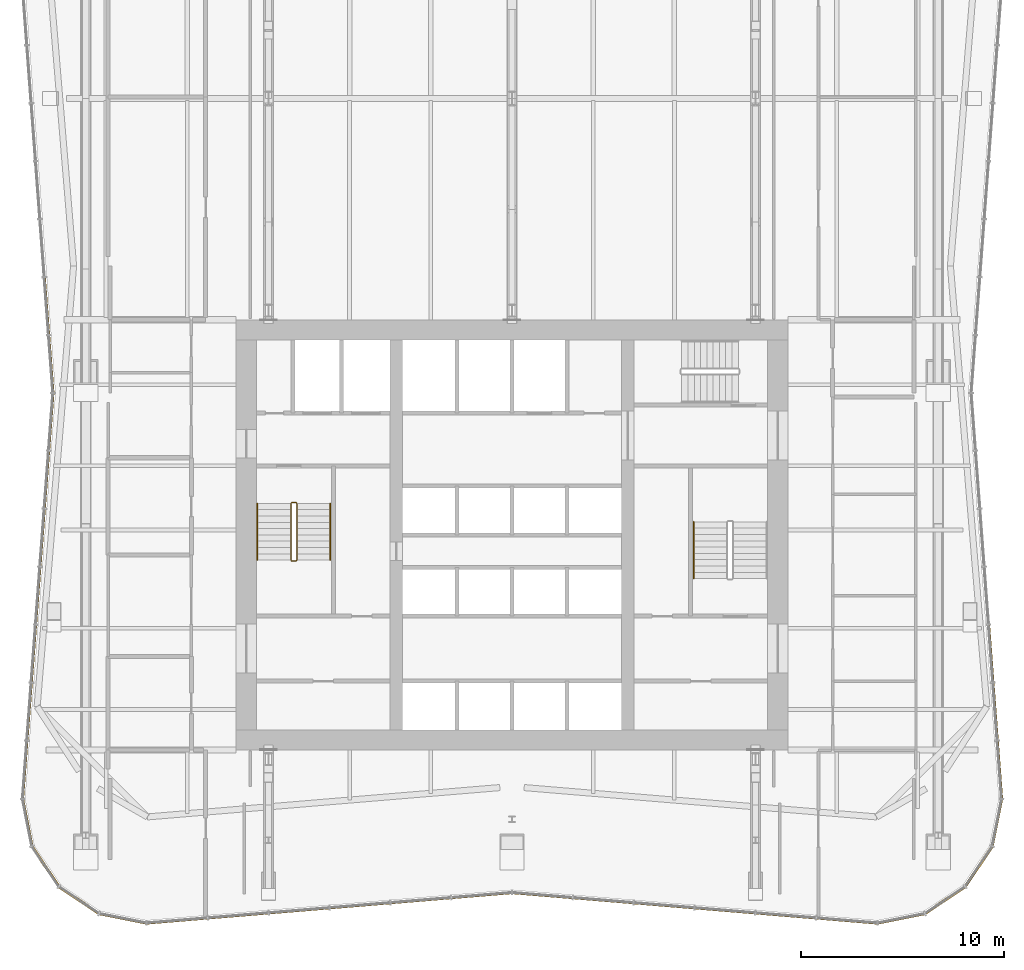
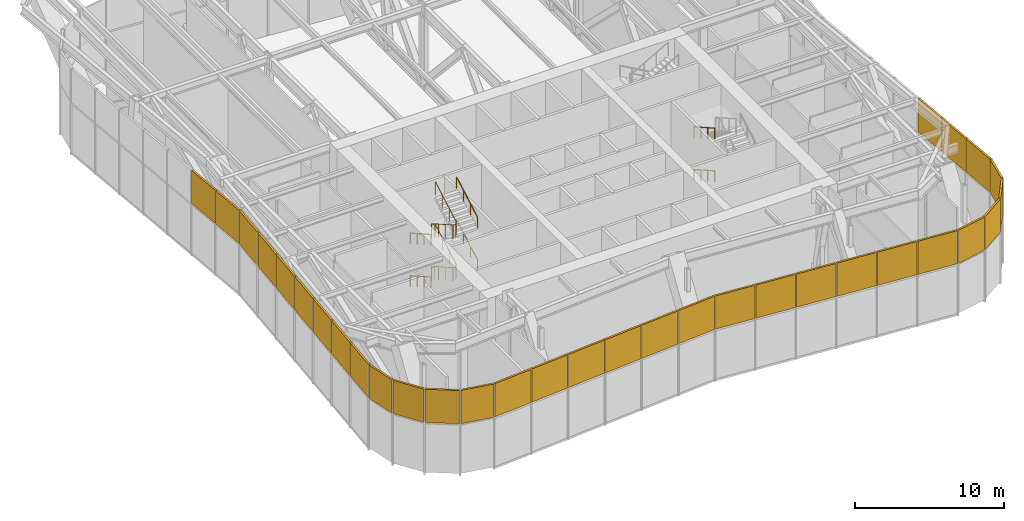
# One storey, part 14 of 16: 32 shading devices, 7 railings, 5 elements without a shape of their own.
"""IFC4 building model written with IfcOpenShell, lengths in metres."""

from ifc_helpers import new_model, si_unit, direction, frame, origin, origin_2d, place, context, subcontext, project, spatial, rectangle, circle, extrude, material, layer, layer_set, type_object, element, aggregate, save


model = new_model("IFC4")

# Units and contexts
model_context = context("Model", 3, precision=1e-05, world=origin(), true_north=direction((0.0, 1.0)))
body_context = subcontext(model_context, "Body", "Model", "MODEL_VIEW")
ifc_project = project(units=[si_unit("LENGTHUNIT", "METRE"), si_unit("AREAUNIT", "SQUARE_METRE"), si_unit("VOLUMEUNIT", "CUBIC_METRE"), si_unit("PLANEANGLEUNIT", "RADIAN"), si_unit("MASSUNIT", "GRAM", prefix="KILO")], contexts=[model_context])

# Site, building, storey
site_placement = place(None, origin())
site = spatial("IfcSite", under=ifc_project, at=site_placement, CompositionType="ELEMENT")
building_placement = place(site_placement, origin())
building = spatial("IfcBuilding", under=site, at=building_placement, Name="Verdant Reach Tower", CompositionType="ELEMENT")
storey_placement = place(building_placement, frame((0.0, 0.0, 170.0)))
storey = spatial("IfcBuildingStorey", under=building, at=storey_placement, Name="L39 Plant", CompositionType="ELEMENT", Elevation=170.0)

# Railings
ifc_material_1 = material(Name="Stainless steel", Category="steel")
railing_type_1 = type_object("IfcRailingType", Name="CO-GUARD", PredefinedType="GUARDRAIL", material=ifc_material_1)
railing_1_placement = place(storey_placement, frame((-10.64990234375, 29.60009765625, 0.0)))
element("IfcRailing", 1, at=railing_1_placement, inside=storey, type_object=railing_type_1, Name="L39 Plant ST-1 stair guard 1", PredefinedType="GUARDRAIL", context=body_context, shape_type="SweptSolid", body=[
    extrude(circle(Radius=0.02392578125, at=origin_2d()), frame((0.0, 0.0, 1.076171875), z_axis=(-1.0, 0.0, 0.0), x_axis=(0.0, -1.0, 0.0)), (0.0, 0.0, 1.0), 0.2001953125),
    extrude(circle(Radius=0.02392578125, at=origin_2d()), frame((-0.2001953125, 0.0, 1.076171875), z_axis=(-0.263862480399, -0.265155923931, 0.927399011991), x_axis=(0.708833529934, -0.705375805398, 0.0)), (0.0, 0.0, 1.0), 0.188720703125),
    extrude(circle(Radius=0.02392578125, at=origin_2d()), frame((-0.25, -0.050048828125, 1.2509765625), z_axis=(0.0, -0.870833779661, 0.491577591232), x_axis=(1.0, 0.0, 0.0)), (0.0, 0.0, 1.0), 3.203857421875),
    extrude(circle(Radius=0.02392578125, at=origin_2d()), frame((-0.25, -2.840087890625, 2.826171875), z_axis=(0.705375805398, -0.708833529934, 0.0), x_axis=(0.708833529934, 0.705375805398, 0.0)), (0.0, 0.0, 1.0), 0.070556640625),
    extrude(circle(Radius=0.02392578125, at=origin_2d()), frame((-0.2001953125, -2.89013671875, 2.826171875), z_axis=(1.0, 0.0, 0.0), x_axis=(0.0, 1.0, 0.0)), (0.0, 0.0, 1.0), 0.2001953125),
    extrude(circle(Radius=0.02392578125, at=origin_2d()), frame((0.0, -2.89013671875, 2.826171875), z_axis=(0.263862480399, 0.265155923931, 0.927399011991), x_axis=(-0.708833529934, 0.705375805398, 0.0)), (0.0, 0.0, 1.0), 0.188720703125),
    extrude(circle(Radius=0.02392578125, at=origin_2d()), frame((0.0498046875, -2.840087890625, 3.0009765625), z_axis=(0.0, 0.870833779661, 0.491577591232), x_axis=(-1.0, 0.0, 0.0)), (0.0, 0.0, 1.0), 3.203857421875),
    extrude(circle(Radius=0.02392578125, at=origin_2d()), frame((0.0498046875, -0.050048828125, 4.576171875), z_axis=(-0.705375805398, 0.708833529934, 0.0), x_axis=(-0.708833529934, -0.705375805398, 0.0)), (0.0, 0.0, 1.0), 0.070556640625),
    extrude(circle(Radius=0.02392578125, at=origin_2d()), frame((0.0, 0.0, 4.576171875), z_axis=(-1.0, 0.0, 0.0), x_axis=(0.0, -1.0, 0.0)), (0.0, 0.0, 1.0), 0.2001953125),
    extrude(circle(Radius=0.02392578125, at=origin_2d()), frame((-0.2001953125, 0.0, 4.576171875), z_axis=(-0.263862480399, -0.265155923931, 0.927399011991), x_axis=(0.708833529934, -0.705375805398, 0.0)), (0.0, 0.0, 1.0), 0.188720703125),
    extrude(circle(Radius=0.02392578125, at=origin_2d()), frame((-0.25, -0.050048828125, 4.7509765625), z_axis=(0.0, -0.870833779661, 0.491577591232), x_axis=(1.0, 0.0, 0.0)), (0.0, 0.0, 1.0), 3.203857421875),
    extrude(circle(Radius=0.02392578125, at=origin_2d()), frame((-0.25, -2.840087890625, 6.326171875), z_axis=(0.705375805398, -0.708833529934, 0.0), x_axis=(0.708833529934, 0.705375805398, 0.0)), (0.0, 0.0, 1.0), 0.070556640625),
    extrude(circle(Radius=0.02392578125, at=origin_2d()), frame((-0.2001953125, -2.89013671875, 6.326171875), z_axis=(1.0, 0.0, 0.0), x_axis=(0.0, 1.0, 0.0)), (0.0, 0.0, 1.0), 0.2001953125),
    extrude(circle(Radius=0.02392578125, at=origin_2d()), frame((0.0, -2.89013671875, 6.326171875), z_axis=(0.263862480399, 0.265155923931, 0.927399011991), x_axis=(-0.708833529934, 0.705375805398, 0.0)), (0.0, 0.0, 1.0), 0.188720703125),
    extrude(circle(Radius=0.02392578125, at=origin_2d()), frame((0.0498046875, -2.840087890625, 6.5009765625), z_axis=(0.0, 0.870833779661, 0.491577591232), x_axis=(-1.0, 0.0, 0.0)), (0.0, 0.0, 1.0), 3.203857421875),
    extrude(circle(Radius=0.02099609375, at=origin_2d()), origin(), (0.0, 0.0, 1.0), 1.052001953125),
    extrude(circle(Radius=0.02099609375, at=origin_2d()), frame((-0.2001953125, 0.0, 0.0)), (0.0, 0.0, 1.0), 1.052001953125),
    extrude(circle(Radius=0.02099609375, at=origin_2d()), frame((-0.25, -0.050048828125, 0.175048828125)), (0.0, 0.0, 1.0), 1.052001953125),
    extrude(circle(Radius=0.02099609375, at=origin_2d()), frame((-0.25, -0.97998046875, 0.699951171875)), (0.0, 0.0, 1.0), 1.052001953125),
    extrude(circle(Radius=0.02099609375, at=origin_2d()), frame((-0.25, -1.91015625, 1.22509765625)), (0.0, 0.0, 1.0), 1.052001953125),
    extrude(circle(Radius=0.02099609375, at=origin_2d()), frame((-0.25, -2.840087890625, 1.75)), (0.0, 0.0, 1.0), 1.052001953125),
    extrude(circle(Radius=0.02099609375, at=origin_2d()), frame((-0.2001953125, -2.89013671875, 1.75)), (0.0, 0.0, 1.0), 1.052001953125),
    extrude(circle(Radius=0.02099609375, at=origin_2d()), frame((0.0, -2.89013671875, 1.75)), (0.0, 0.0, 1.0), 1.052001953125),
    extrude(circle(Radius=0.02099609375, at=origin_2d()), frame((0.0498046875, -2.840087890625, 1.925048828125)), (0.0, 0.0, 1.0), 1.052001953125),
    extrude(circle(Radius=0.02099609375, at=origin_2d()), frame((0.0498046875, -1.91015625, 2.449951171875)), (0.0, 0.0, 1.0), 1.052001953125),
    extrude(circle(Radius=0.02099609375, at=origin_2d()), frame((0.0498046875, -0.97998046875, 2.97509765625)), (0.0, 0.0, 1.0), 1.052001953125),
    extrude(circle(Radius=0.02099609375, at=origin_2d()), frame((0.0498046875, -0.050048828125, 3.5)), (0.0, 0.0, 1.0), 1.052001953125),
    extrude(circle(Radius=0.02099609375, at=origin_2d()), frame((0.0, 0.0, 3.5)), (0.0, 0.0, 1.0), 1.052001953125),
    extrude(circle(Radius=0.02099609375, at=origin_2d()), frame((-0.2001953125, 0.0, 3.5)), (0.0, 0.0, 1.0), 1.052001953125),
    extrude(circle(Radius=0.02099609375, at=origin_2d()), frame((-0.25, -0.050048828125, 3.675048828125)), (0.0, 0.0, 1.0), 1.052001953125),
    extrude(circle(Radius=0.02099609375, at=origin_2d()), frame((-0.25, -0.97998046875, 4.199951171875)), (0.0, 0.0, 1.0), 1.052001953125),
    extrude(circle(Radius=0.02099609375, at=origin_2d()), frame((-0.25, -1.91015625, 4.72509765625)), (0.0, 0.0, 1.0), 1.052001953125),
    extrude(circle(Radius=0.02099609375, at=origin_2d()), frame((-0.25, -2.840087890625, 5.25)), (0.0, 0.0, 1.0), 1.052001953125),
    extrude(circle(Radius=0.02099609375, at=origin_2d()), frame((-0.2001953125, -2.89013671875, 5.25)), (0.0, 0.0, 1.0), 1.052001953125),
    extrude(circle(Radius=0.02099609375, at=origin_2d()), frame((0.0, -2.89013671875, 5.25)), (0.0, 0.0, 1.0), 1.052001953125),
    extrude(circle(Radius=0.02099609375, at=origin_2d()), frame((0.0498046875, -2.840087890625, 5.425048828125)), (0.0, 0.0, 1.0), 1.052001953125),
    extrude(circle(Radius=0.02099609375, at=origin_2d()), frame((0.0498046875, -1.91015625, 5.949951171875)), (0.0, 0.0, 1.0), 1.052001953125),
    extrude(circle(Radius=0.02099609375, at=origin_2d()), frame((0.0498046875, -0.97998046875, 6.47509765625)), (0.0, 0.0, 1.0), 1.052001953125),
    extrude(circle(Radius=0.02099609375, at=origin_2d()), frame((0.0498046875, -0.050048828125, 7.0)), (0.0, 0.0, 1.0), 1.052001953125),
])
railing_type_2 = type_object("IfcRailingType", Name="CO-HANDRAIL", PredefinedType="HANDRAIL", material=ifc_material_1)
railing_2_placement = place(storey_placement, frame((-12.550048828125, 29.550048828125, 0.175048828125)))
element("IfcRailing", 2, at=railing_2_placement, inside=storey, type_object=railing_type_2, Name="L39 Plant ST-1 stair handrail 1", PredefinedType="HANDRAIL", context=body_context, shape_type="SweptSolid", body=[
    extrude(circle(Radius=0.02392578125, at=origin_2d()), frame((0.0, 0.0, 0.8759765625), z_axis=(0.0, -0.870833779661, 0.491577591232), x_axis=(1.0, 0.0, 0.0)), (0.0, 0.0, 1.0), 3.203857421875),
    extrude(circle(Radius=0.02099609375, at=origin_2d()), origin(), (0.0, 0.0, 1.0), 0.851806640625),
    extrude(circle(Radius=0.02099609375, at=origin_2d()), frame((0.0, -0.929931640625, 0.52490234375)), (0.0, 0.0, 1.0), 0.851806640625),
    extrude(circle(Radius=0.02099609375, at=origin_2d()), frame((0.0, -1.860107421875, 1.050048828125)), (0.0, 0.0, 1.0), 0.851806640625),
    extrude(circle(Radius=0.02099609375, at=origin_2d()), frame((0.0, -2.7900390625, 1.574951171875)), (0.0, 0.0, 1.0), 0.851806640625),
])
railing_3_placement = place(storey_placement, frame((-8.949951171875, 26.760009765625, 1.925048828125)))
element("IfcRailing", 3, at=railing_3_placement, inside=storey, type_object=railing_type_2, Name="L39 Plant ST-1 stair handrail 2", PredefinedType="HANDRAIL", context=body_context, shape_type="SweptSolid", body=[
    extrude(circle(Radius=0.02392578125, at=origin_2d()), frame((0.0, 0.0, 0.8759765625), z_axis=(0.0, 0.870833779661, 0.491577591232), x_axis=(-1.0, 0.0, 0.0)), (0.0, 0.0, 1.0), 3.203857421875),
    extrude(circle(Radius=0.02099609375, at=origin_2d()), origin(), (0.0, 0.0, 1.0), 0.851806640625),
    extrude(circle(Radius=0.02099609375, at=origin_2d()), frame((0.0, 0.929931640625, 0.52490234375)), (0.0, 0.0, 1.0), 0.851806640625),
    extrude(circle(Radius=0.02099609375, at=origin_2d()), frame((0.0, 1.860107421875, 1.050048828125)), (0.0, 0.0, 1.0), 0.851806640625),
    extrude(circle(Radius=0.02099609375, at=origin_2d()), frame((0.0, 2.7900390625, 1.574951171875)), (0.0, 0.0, 1.0), 0.851806640625),
])
railing_4_placement = place(storey_placement, frame((-12.550048828125, 29.550048828125, 3.675048828125)))
element("IfcRailing", 4, at=railing_4_placement, inside=storey, type_object=railing_type_2, Name="L39 Plant ST-1 stair handrail 3", PredefinedType="HANDRAIL", context=body_context, shape_type="SweptSolid", body=[
    extrude(circle(Radius=0.02392578125, at=origin_2d()), frame((0.0, 0.0, 0.8759765625), z_axis=(0.0, -0.870833779661, 0.491577591232), x_axis=(1.0, 0.0, 0.0)), (0.0, 0.0, 1.0), 3.203857421875),
    extrude(circle(Radius=0.02099609375, at=origin_2d()), origin(), (0.0, 0.0, 1.0), 0.851806640625),
    extrude(circle(Radius=0.02099609375, at=origin_2d()), frame((0.0, -0.929931640625, 0.52490234375)), (0.0, 0.0, 1.0), 0.851806640625),
    extrude(circle(Radius=0.02099609375, at=origin_2d()), frame((0.0, -1.860107421875, 1.050048828125)), (0.0, 0.0, 1.0), 0.851806640625),
    extrude(circle(Radius=0.02099609375, at=origin_2d()), frame((0.0, -2.7900390625, 1.574951171875)), (0.0, 0.0, 1.0), 0.851806640625),
])
railing_5_placement = place(storey_placement, frame((-8.949951171875, 26.760009765625, 5.425048828125)))
element("IfcRailing", 5, at=railing_5_placement, inside=storey, type_object=railing_type_2, Name="L39 Plant ST-1 stair handrail 4", PredefinedType="HANDRAIL", context=body_context, shape_type="SweptSolid", body=[
    extrude(circle(Radius=0.02392578125, at=origin_2d()), frame((0.0, 0.0, 0.8759765625), z_axis=(0.0, 0.870833779661, 0.491577591232), x_axis=(-1.0, 0.0, 0.0)), (0.0, 0.0, 1.0), 3.203857421875),
    extrude(circle(Radius=0.02099609375, at=origin_2d()), origin(), (0.0, 0.0, 1.0), 0.851806640625),
    extrude(circle(Radius=0.02099609375, at=origin_2d()), frame((0.0, 0.929931640625, 0.52490234375)), (0.0, 0.0, 1.0), 0.851806640625),
    extrude(circle(Radius=0.02099609375, at=origin_2d()), frame((0.0, 1.860107421875, 1.050048828125)), (0.0, 0.0, 1.0), 0.851806640625),
    extrude(circle(Radius=0.02099609375, at=origin_2d()), frame((0.0, 2.7900390625, 1.574951171875)), (0.0, 0.0, 1.0), 0.851806640625),
])
for number, where, name in (
    (6, (8.949951171875, 28.639892578125, 1.925048828125), "L39 Plant ST-2 stair handrail 2"),
    (7, (8.949951171875, 28.639892578125, 5.425048828125), "L39 Plant ST-2 stair handrail 4"),
):
    element("IfcRailing", number, at=place(storey_placement, frame(where)), inside=storey, type_object=railing_type_2, Name=name, PredefinedType="HANDRAIL", context=body_context, shape_type="SweptSolid", body=[
        extrude(circle(Radius=0.02392578125, at=origin_2d()), frame((0.0, 0.0, 0.8759765625), z_axis=(0.0, -0.870815363784, 0.491610213684), x_axis=(1.0, 0.0, 0.0)), (0.0, 0.0, 1.0), 3.20361328125),
        extrude(circle(Radius=0.02099609375, at=origin_2d()), origin(), (0.0, 0.0, 1.0), 0.851806640625),
        extrude(circle(Radius=0.02099609375, at=origin_2d()), frame((0.0, -0.929931640625, 0.52490234375)), (0.0, 0.0, 1.0), 0.851806640625),
        extrude(circle(Radius=0.02099609375, at=origin_2d()), frame((0.0, -1.85986328125, 1.050048828125)), (0.0, 0.0, 1.0), 0.851806640625),
        extrude(circle(Radius=0.02099609375, at=origin_2d()), frame((0.0, -2.789794921875, 1.574951171875)), (0.0, 0.0, 1.0), 0.851806640625),
    ])

# Curtain wall, shading devices
ifc_material_2 = material(Name="Anodised aluminium", Category="aluminium")
curtain_wall_type = type_object("IfcCurtainWallType", Name="EN-CW SYSTEM PLANT", PredefinedType="NOTDEFINED", material=ifc_material_2)
curtain_wall_1_placement = place(storey_placement, origin())
curtain_wall_1 = element("IfcCurtainWall", 8, at=curtain_wall_1_placement, inside=storey, type_object=curtain_wall_type, Name="Curtain wall south-east corner, L39", PredefinedType="NOTDEFINED")
ifc_material_3 = material(Name="Bronze anodised aluminium louvre", Category="aluminium")
ifc_layer = layer(ifc_material_3, 0.14990234375)
ifc_layer_set = layer_set([ifc_layer], Name="EN-LOUVRE")
shading_device_type = type_object("IfcShadingDeviceType", Name="EN-LOUVRE", PredefinedType="USERDEFINED", material=ifc_layer_set)
shading_device_1_placement = place(storey_placement, frame((19.174072265625, 9.114013671875, 3.925048828125), z_axis=(0.0, 0.0, 1.0), x_axis=(0.980694678629, 0.195545256419, 0.0)))
shading_device_1 = element("IfcShadingDevice", 9, at=shading_device_1_placement, type_object=shading_device_type, Name="Louvre bank south-east corner 1, L39", ObjectType="LOUVRE", PredefinedType="USERDEFINED", context=body_context, shape_type="SweptSolid", body=[
    extrude(rectangle(XDim=2.304931640625, YDim=0.14990234375, at=origin_2d()), origin(), (0.0, 0.0, 1.0), 2.72509765625),
])
shading_device_2_placement = place(storey_placement, frame((21.334228515625, 10.010009765625, 3.925048828125), z_axis=(0.0, 0.0, 1.0), x_axis=(0.83145208321, 0.555596466265, 0.0)))
shading_device_2 = element("IfcShadingDevice", 10, at=shading_device_2_placement, type_object=shading_device_type, Name="Louvre bank south-east corner 2, L39", ObjectType="LOUVRE", PredefinedType="USERDEFINED", context=body_context, shape_type="SweptSolid", body=[
    extrude(rectangle(XDim=2.3115234375, YDim=0.14990234375, at=origin_2d()), origin(), (0.0, 0.0, 1.0), 2.72509765625),
])
shading_device_3_placement = place(storey_placement, frame((22.989990234375, 11.665771484375, 3.925048828125), z_axis=(0.0, 0.0, 1.0), x_axis=(0.555596466265, 0.83145208321, 0.0)))
shading_device_3 = element("IfcShadingDevice", 11, at=shading_device_3_placement, type_object=shading_device_type, Name="Louvre bank south-east corner 3, L39", ObjectType="LOUVRE", PredefinedType="USERDEFINED", context=body_context, shape_type="SweptSolid", body=[
    extrude(rectangle(XDim=2.3115234375, YDim=0.14990234375, at=origin_2d()), origin(), (0.0, 0.0, 1.0), 2.72509765625),
])
shading_device_4_placement = place(storey_placement, frame((23.885986328125, 13.82568359375, 3.925048828125), z_axis=(0.0, 0.0, 1.0), x_axis=(0.195573211056, 0.980689104211, 0.0)))
shading_device_4 = element("IfcShadingDevice", 12, at=shading_device_4_placement, type_object=shading_device_type, Name="Louvre bank south-east corner 4, L39", ObjectType="LOUVRE", PredefinedType="USERDEFINED", context=body_context, shape_type="SweptSolid", body=[
    extrude(rectangle(XDim=2.304443359375, YDim=0.14990234375, at=origin_2d()), origin(), (0.0, 0.0, 1.0), 2.72509765625),
])
aggregate(curtain_wall_1, [shading_device_1, shading_device_2, shading_device_3, shading_device_4])

curtain_wall_2_placement = place(storey_placement, origin())
curtain_wall_2 = element("IfcCurtainWall", 13, at=curtain_wall_2_placement, inside=storey, type_object=curtain_wall_type, Name="Curtain wall east, L39", PredefinedType="NOTDEFINED")
shading_device_5_placement = place(storey_placement, frame((24.011474609375, 16.429443359375, 3.925048828125), z_axis=(0.0, 0.0, 1.0), x_axis=(-0.074411874128, 0.997227593375, 0.0)))
shading_device_5 = element("IfcShadingDevice", 14, at=shading_device_5_placement, type_object=shading_device_type, Name="Louvre bank east face part 1 1, L39", ObjectType="LOUVRE", PredefinedType="USERDEFINED", context=body_context, shape_type="SweptSolid", body=[
    extrude(rectangle(XDim=2.80517578125, YDim=0.14990234375, at=origin_2d()), origin(), (0.0, 0.0, 1.0), 2.72509765625),
])
shading_device_6_placement = place(storey_placement, frame((23.797119140625, 19.294677734375, 3.925048828125), z_axis=(0.0, 0.0, 1.0), x_axis=(-0.074789948245, 0.997199309888, 0.0)))
shading_device_6 = element("IfcShadingDevice", 15, at=shading_device_6_placement, type_object=shading_device_type, Name="Louvre bank east face part 1 2, L39", ObjectType="LOUVRE", PredefinedType="USERDEFINED", context=body_context, shape_type="SweptSolid", body=[
    extrude(rectangle(XDim=2.7890625, YDim=0.14990234375, at=origin_2d()), origin(), (0.0, 0.0, 1.0), 2.72509765625),
])
shading_device_7_placement = place(storey_placement, frame((23.5830078125, 22.15185546875, 3.925048828125), z_axis=(0.0, 0.0, 1.0), x_axis=(-0.074789948245, 0.997199309888, 0.0)))
shading_device_7 = element("IfcShadingDevice", 16, at=shading_device_7_placement, type_object=shading_device_type, Name="Louvre bank east face part 1 3, L39", ObjectType="LOUVRE", PredefinedType="USERDEFINED", context=body_context, shape_type="SweptSolid", body=[
    extrude(rectangle(XDim=2.7890625, YDim=0.14990234375, at=origin_2d()), origin(), (0.0, 0.0, 1.0), 2.72509765625),
])
aggregate(curtain_wall_2, [shading_device_5, shading_device_6, shading_device_7])

curtain_wall_3_placement = place(storey_placement, origin())
curtain_wall_3 = element("IfcCurtainWall", 17, at=curtain_wall_3_placement, inside=storey, type_object=curtain_wall_type, Name="Curtain wall west, L39", PredefinedType="NOTDEFINED")
shading_device_8_placement = place(storey_placement, frame((-22.940185546875, 39.27685546875, 3.925048828125), z_axis=(0.0, 0.0, 1.0), x_axis=(0.074789948245, -0.997199309888, 0.0)))
shading_device_8 = element("IfcShadingDevice", 18, at=shading_device_8_placement, type_object=shading_device_type, Name="Louvre bank west face part 1 6, L39", ObjectType="LOUVRE", PredefinedType="USERDEFINED", context=body_context, shape_type="SweptSolid", body=[
    extrude(rectangle(XDim=2.7890625, YDim=0.14990234375, at=origin_2d()), origin(), (0.0, 0.0, 1.0), 2.72509765625),
])
shading_device_9_placement = place(storey_placement, frame((-22.72607421875, 36.424072265625, 3.925048828125), z_axis=(0.0, 0.0, 1.0), x_axis=(0.074906305432, -0.997190576272, 0.0)))
shading_device_9 = element("IfcShadingDevice", 19, at=shading_device_9_placement, type_object=shading_device_type, Name="Louvre bank west face part 1 7, L39", ObjectType="LOUVRE", PredefinedType="USERDEFINED", context=body_context, shape_type="SweptSolid", body=[
    extrude(rectangle(XDim=2.7802734375, YDim=0.14990234375, at=origin_2d()), origin(), (0.0, 0.0, 1.0), 2.72509765625),
])
shading_device_10_placement = place(storey_placement, frame((-22.72607421875, 33.575927734375, 3.925048828125), z_axis=(0.0, 0.0, 1.0), x_axis=(-0.074906305432, -0.997190576272, 0.0)))
shading_device_10 = element("IfcShadingDevice", 20, at=shading_device_10_placement, type_object=shading_device_type, Name="Louvre bank west face part 2 1, L39", ObjectType="LOUVRE", PredefinedType="USERDEFINED", context=body_context, shape_type="SweptSolid", body=[
    extrude(rectangle(XDim=2.7802734375, YDim=0.14990234375, at=origin_2d()), origin(), (0.0, 0.0, 1.0), 2.72509765625),
])
shading_device_11_placement = place(storey_placement, frame((-22.940185546875, 30.72314453125, 3.925048828125), z_axis=(0.0, 0.0, 1.0), x_axis=(-0.074789948245, -0.997199309888, 0.0)))
shading_device_11 = element("IfcShadingDevice", 21, at=shading_device_11_placement, type_object=shading_device_type, Name="Louvre bank west face part 2 2, L39", ObjectType="LOUVRE", PredefinedType="USERDEFINED", context=body_context, shape_type="SweptSolid", body=[
    extrude(rectangle(XDim=2.7890625, YDim=0.14990234375, at=origin_2d()), origin(), (0.0, 0.0, 1.0), 2.72509765625),
])
shading_device_12_placement = place(storey_placement, frame((-23.154296875, 27.865966796875, 3.925048828125), z_axis=(0.0, 0.0, 1.0), x_axis=(-0.074789948245, -0.997199309888, 0.0)))
shading_device_12 = element("IfcShadingDevice", 22, at=shading_device_12_placement, type_object=shading_device_type, Name="Louvre bank west face part 2 3, L39", ObjectType="LOUVRE", PredefinedType="USERDEFINED", context=body_context, shape_type="SweptSolid", body=[
    extrude(rectangle(XDim=2.7890625, YDim=0.14990234375, at=origin_2d()), origin(), (0.0, 0.0, 1.0), 2.72509765625),
])
shading_device_13_placement = place(storey_placement, frame((-23.36865234375, 25.0087890625, 3.925048828125), z_axis=(0.0, 0.0, 1.0), x_axis=(-0.074789948245, -0.997199309888, 0.0)))
shading_device_13 = element("IfcShadingDevice", 23, at=shading_device_13_placement, type_object=shading_device_type, Name="Louvre bank west face part 2 4, L39", ObjectType="LOUVRE", PredefinedType="USERDEFINED", context=body_context, shape_type="SweptSolid", body=[
    extrude(rectangle(XDim=2.7890625, YDim=0.14990234375, at=origin_2d()), origin(), (0.0, 0.0, 1.0), 2.72509765625),
])
shading_device_14_placement = place(storey_placement, frame((-23.5830078125, 22.15185546875, 3.925048828125), z_axis=(0.0, 0.0, 1.0), x_axis=(-0.074789948245, -0.997199309888, 0.0)))
shading_device_14 = element("IfcShadingDevice", 24, at=shading_device_14_placement, type_object=shading_device_type, Name="Louvre bank west face part 2 5, L39", ObjectType="LOUVRE", PredefinedType="USERDEFINED", context=body_context, shape_type="SweptSolid", body=[
    extrude(rectangle(XDim=2.7890625, YDim=0.14990234375, at=origin_2d()), origin(), (0.0, 0.0, 1.0), 2.72509765625),
])
shading_device_15_placement = place(storey_placement, frame((-23.797119140625, 19.294677734375, 3.925048828125), z_axis=(0.0, 0.0, 1.0), x_axis=(-0.074789948245, -0.997199309888, 0.0)))
shading_device_15 = element("IfcShadingDevice", 25, at=shading_device_15_placement, type_object=shading_device_type, Name="Louvre bank west face part 2 6, L39", ObjectType="LOUVRE", PredefinedType="USERDEFINED", context=body_context, shape_type="SweptSolid", body=[
    extrude(rectangle(XDim=2.7890625, YDim=0.14990234375, at=origin_2d()), origin(), (0.0, 0.0, 1.0), 2.72509765625),
])
shading_device_16_placement = place(storey_placement, frame((-24.011474609375, 16.429443359375, 3.925048828125), z_axis=(0.0, 0.0, 1.0), x_axis=(-0.074411874128, -0.997227593375, 0.0)))
shading_device_16 = element("IfcShadingDevice", 26, at=shading_device_16_placement, type_object=shading_device_type, Name="Louvre bank west face part 2 7, L39", ObjectType="LOUVRE", PredefinedType="USERDEFINED", context=body_context, shape_type="SweptSolid", body=[
    extrude(rectangle(XDim=2.80517578125, YDim=0.14990234375, at=origin_2d()), origin(), (0.0, 0.0, 1.0), 2.72509765625),
])
aggregate(curtain_wall_3, [shading_device_8, shading_device_9, shading_device_10, shading_device_11, shading_device_12, shading_device_13, shading_device_14, shading_device_15, shading_device_16])

curtain_wall_4_placement = place(storey_placement, origin())
curtain_wall_4 = element("IfcCurtainWall", 27, at=curtain_wall_4_placement, inside=storey, type_object=curtain_wall_type, Name="Curtain wall south-west corner, L39", PredefinedType="NOTDEFINED")
shading_device_17_placement = place(storey_placement, frame((-23.885986328125, 13.82568359375, 3.925048828125), z_axis=(0.0, 0.0, 1.0), x_axis=(0.195573211056, -0.980689104211, 0.0)))
shading_device_17 = element("IfcShadingDevice", 28, at=shading_device_17_placement, type_object=shading_device_type, Name="Louvre bank south-west corner 1, L39", ObjectType="LOUVRE", PredefinedType="USERDEFINED", context=body_context, shape_type="SweptSolid", body=[
    extrude(rectangle(XDim=2.304443359375, YDim=0.14990234375, at=origin_2d()), origin(), (0.0, 0.0, 1.0), 2.72509765625),
])
shading_device_18_placement = place(storey_placement, frame((-22.989990234375, 11.665771484375, 3.925048828125), z_axis=(0.0, 0.0, 1.0), x_axis=(0.555596466265, -0.83145208321, 0.0)))
shading_device_18 = element("IfcShadingDevice", 29, at=shading_device_18_placement, type_object=shading_device_type, Name="Louvre bank south-west corner 2, L39", ObjectType="LOUVRE", PredefinedType="USERDEFINED", context=body_context, shape_type="SweptSolid", body=[
    extrude(rectangle(XDim=2.3115234375, YDim=0.14990234375, at=origin_2d()), origin(), (0.0, 0.0, 1.0), 2.72509765625),
])
shading_device_19_placement = place(storey_placement, frame((-21.334228515625, 10.010009765625, 3.925048828125), z_axis=(0.0, 0.0, 1.0), x_axis=(0.83145208321, -0.555596466265, 0.0)))
shading_device_19 = element("IfcShadingDevice", 30, at=shading_device_19_placement, type_object=shading_device_type, Name="Louvre bank south-west corner 3, L39", ObjectType="LOUVRE", PredefinedType="USERDEFINED", context=body_context, shape_type="SweptSolid", body=[
    extrude(rectangle(XDim=2.3115234375, YDim=0.14990234375, at=origin_2d()), origin(), (0.0, 0.0, 1.0), 2.72509765625),
])
shading_device_20_placement = place(storey_placement, frame((-19.174072265625, 9.114013671875, 3.925048828125), z_axis=(0.0, 0.0, 1.0), x_axis=(0.980694678629, -0.195545256419, 0.0)))
shading_device_20 = element("IfcShadingDevice", 31, at=shading_device_20_placement, type_object=shading_device_type, Name="Louvre bank south-west corner 4, L39", ObjectType="LOUVRE", PredefinedType="USERDEFINED", context=body_context, shape_type="SweptSolid", body=[
    extrude(rectangle(XDim=2.304931640625, YDim=0.14990234375, at=origin_2d()), origin(), (0.0, 0.0, 1.0), 2.72509765625),
])
aggregate(curtain_wall_4, [shading_device_17, shading_device_18, shading_device_19, shading_device_20])

curtain_wall_5_placement = place(storey_placement, origin())
curtain_wall_5 = element("IfcCurtainWall", 32, at=curtain_wall_5_placement, inside=storey, type_object=curtain_wall_type, Name="Curtain wall south, L39", PredefinedType="NOTDEFINED")
shading_device_21_placement = place(storey_placement, frame((-16.49853515625, 9.00634765625, 3.925048828125), z_axis=(0.0, 0.0, 1.0), x_axis=(0.996577509664, 0.082663578629, 0.0)))
shading_device_21 = element("IfcShadingDevice", 33, at=shading_device_21_placement, type_object=shading_device_type, Name="Louvre bank south face part 1 1, L39", ObjectType="LOUVRE", PredefinedType="USERDEFINED", context=body_context, shape_type="SweptSolid", body=[
    extrude(rectangle(XDim=2.950927734375, YDim=0.14990234375, at=origin_2d()), origin(), (0.0, 0.0, 1.0), 2.72509765625),
])
shading_device_22_placement = place(storey_placement, frame((-13.490234375, 9.25634765625, 3.925048828125), z_axis=(0.0, 0.0, 1.0), x_axis=(0.996545758244, 0.083045479859, 0.0)))
shading_device_22 = element("IfcShadingDevice", 34, at=shading_device_22_placement, type_object=shading_device_type, Name="Louvre bank south face part 1 2, L39", ObjectType="LOUVRE", PredefinedType="USERDEFINED", context=body_context, shape_type="SweptSolid", body=[
    extrude(rectangle(XDim=2.934326171875, YDim=0.14990234375, at=origin_2d()), origin(), (0.0, 0.0, 1.0), 2.72509765625),
])
shading_device_23_placement = place(storey_placement, frame((-10.490234375, 9.50634765625, 3.925048828125), z_axis=(0.0, 0.0, 1.0), x_axis=(0.996545758244, 0.083045479859, 0.0)))
shading_device_23 = element("IfcShadingDevice", 35, at=shading_device_23_placement, type_object=shading_device_type, Name="Louvre bank south face part 1 3, L39", ObjectType="LOUVRE", PredefinedType="USERDEFINED", context=body_context, shape_type="SweptSolid", body=[
    extrude(rectangle(XDim=2.934326171875, YDim=0.14990234375, at=origin_2d()), origin(), (0.0, 0.0, 1.0), 2.72509765625),
])
shading_device_24_placement = place(storey_placement, frame((-7.490234375, 9.75634765625, 3.925048828125), z_axis=(0.0, 0.0, 1.0), x_axis=(0.996545758244, 0.083045479859, 0.0)))
shading_device_24 = element("IfcShadingDevice", 36, at=shading_device_24_placement, type_object=shading_device_type, Name="Louvre bank south face part 1 4, L39", ObjectType="LOUVRE", PredefinedType="USERDEFINED", context=body_context, shape_type="SweptSolid", body=[
    extrude(rectangle(XDim=2.934326171875, YDim=0.14990234375, at=origin_2d()), origin(), (0.0, 0.0, 1.0), 2.72509765625),
])
shading_device_25_placement = place(storey_placement, frame((-4.490234375, 10.00634765625, 3.925048828125), z_axis=(0.0, 0.0, 1.0), x_axis=(0.996545758244, 0.083045479859, 0.0)))
shading_device_25 = element("IfcShadingDevice", 37, at=shading_device_25_placement, type_object=shading_device_type, Name="Louvre bank south face part 1 5, L39", ObjectType="LOUVRE", PredefinedType="USERDEFINED", context=body_context, shape_type="SweptSolid", body=[
    extrude(rectangle(XDim=2.934326171875, YDim=0.14990234375, at=origin_2d()), origin(), (0.0, 0.0, 1.0), 2.72509765625),
])
shading_device_26_placement = place(storey_placement, frame((-1.4951171875, 10.256103515625, 3.925048828125), z_axis=(0.0, 0.0, 1.0), x_axis=(0.996534372104, 0.083182000546, 0.0)))
shading_device_26 = element("IfcShadingDevice", 38, at=shading_device_26_placement, type_object=shading_device_type, Name="Louvre bank south face part 1 6, L39", ObjectType="LOUVRE", PredefinedType="USERDEFINED", context=body_context, shape_type="SweptSolid", body=[
    extrude(rectangle(XDim=2.924560546875, YDim=0.14990234375, at=origin_2d()), origin(), (0.0, 0.0, 1.0), 2.72509765625),
])
shading_device_27_placement = place(storey_placement, frame((1.4951171875, 10.256103515625, 3.925048828125), z_axis=(0.0, 0.0, 1.0), x_axis=(0.996534372104, -0.083182000546, 0.0)))
shading_device_27 = element("IfcShadingDevice", 39, at=shading_device_27_placement, type_object=shading_device_type, Name="Louvre bank south face part 2 1, L39", ObjectType="LOUVRE", PredefinedType="USERDEFINED", context=body_context, shape_type="SweptSolid", body=[
    extrude(rectangle(XDim=2.924560546875, YDim=0.14990234375, at=origin_2d()), origin(), (0.0, 0.0, 1.0), 2.72509765625),
])
shading_device_28_placement = place(storey_placement, frame((4.490234375, 10.00634765625, 3.925048828125), z_axis=(0.0, 0.0, 1.0), x_axis=(0.996545758244, -0.083045479859, 0.0)))
shading_device_28 = element("IfcShadingDevice", 40, at=shading_device_28_placement, type_object=shading_device_type, Name="Louvre bank south face part 2 2, L39", ObjectType="LOUVRE", PredefinedType="USERDEFINED", context=body_context, shape_type="SweptSolid", body=[
    extrude(rectangle(XDim=2.934326171875, YDim=0.14990234375, at=origin_2d()), origin(), (0.0, 0.0, 1.0), 2.72509765625),
])
shading_device_29_placement = place(storey_placement, frame((7.490234375, 9.75634765625, 3.925048828125), z_axis=(0.0, 0.0, 1.0), x_axis=(0.996545758244, -0.083045479859, 0.0)))
shading_device_29 = element("IfcShadingDevice", 41, at=shading_device_29_placement, type_object=shading_device_type, Name="Louvre bank south face part 2 3, L39", ObjectType="LOUVRE", PredefinedType="USERDEFINED", context=body_context, shape_type="SweptSolid", body=[
    extrude(rectangle(XDim=2.934326171875, YDim=0.14990234375, at=origin_2d()), origin(), (0.0, 0.0, 1.0), 2.72509765625),
])
shading_device_30_placement = place(storey_placement, frame((10.490234375, 9.50634765625, 3.925048828125), z_axis=(0.0, 0.0, 1.0), x_axis=(0.996545758244, -0.083045479859, 0.0)))
shading_device_30 = element("IfcShadingDevice", 42, at=shading_device_30_placement, type_object=shading_device_type, Name="Louvre bank south face part 2 4, L39", ObjectType="LOUVRE", PredefinedType="USERDEFINED", context=body_context, shape_type="SweptSolid", body=[
    extrude(rectangle(XDim=2.934326171875, YDim=0.14990234375, at=origin_2d()), origin(), (0.0, 0.0, 1.0), 2.72509765625),
])
shading_device_31_placement = place(storey_placement, frame((13.490234375, 9.25634765625, 3.925048828125), z_axis=(0.0, 0.0, 1.0), x_axis=(0.996545758244, -0.083045479859, 0.0)))
shading_device_31 = element("IfcShadingDevice", 43, at=shading_device_31_placement, type_object=shading_device_type, Name="Louvre bank south face part 2 5, L39", ObjectType="LOUVRE", PredefinedType="USERDEFINED", context=body_context, shape_type="SweptSolid", body=[
    extrude(rectangle(XDim=2.934326171875, YDim=0.14990234375, at=origin_2d()), origin(), (0.0, 0.0, 1.0), 2.72509765625),
])
shading_device_32_placement = place(storey_placement, frame((16.49853515625, 9.00634765625, 3.925048828125), z_axis=(0.0, 0.0, 1.0), x_axis=(0.996577509664, -0.082663578629, 0.0)))
shading_device_32 = element("IfcShadingDevice", 44, at=shading_device_32_placement, type_object=shading_device_type, Name="Louvre bank south face part 2 6, L39", ObjectType="LOUVRE", PredefinedType="USERDEFINED", context=body_context, shape_type="SweptSolid", body=[
    extrude(rectangle(XDim=2.950927734375, YDim=0.14990234375, at=origin_2d()), origin(), (0.0, 0.0, 1.0), 2.72509765625),
])
aggregate(curtain_wall_5, [shading_device_21, shading_device_22, shading_device_23, shading_device_24, shading_device_25, shading_device_26, shading_device_27, shading_device_28, shading_device_29, shading_device_30, shading_device_31, shading_device_32])

save(model, "model.ifc")
